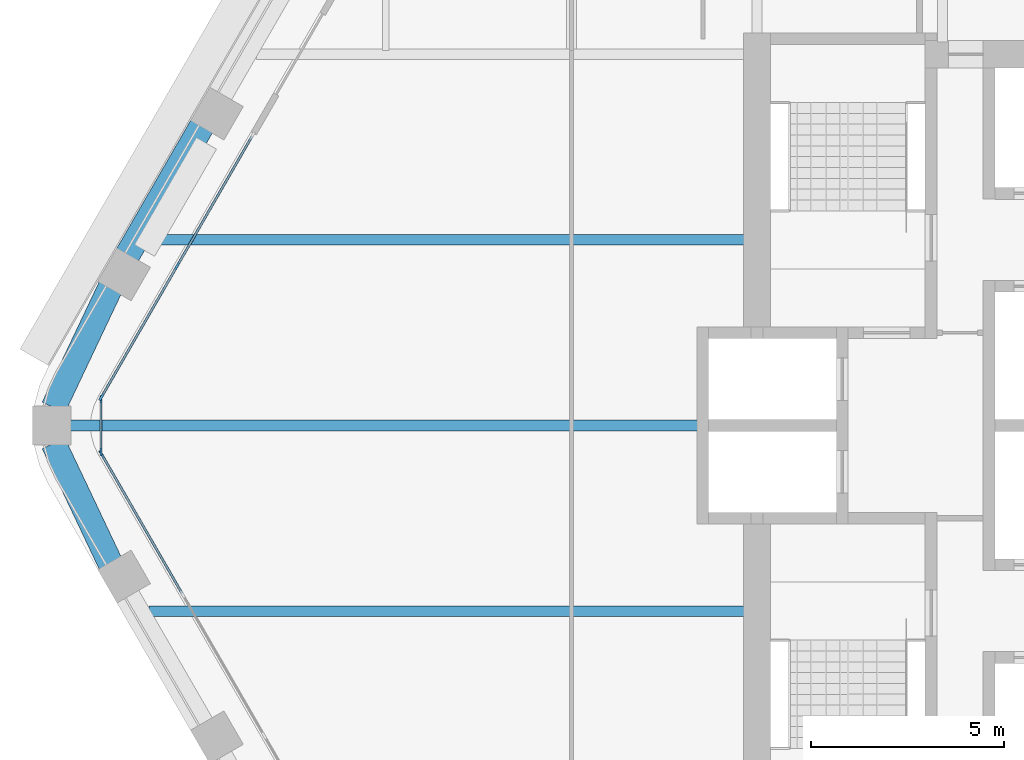
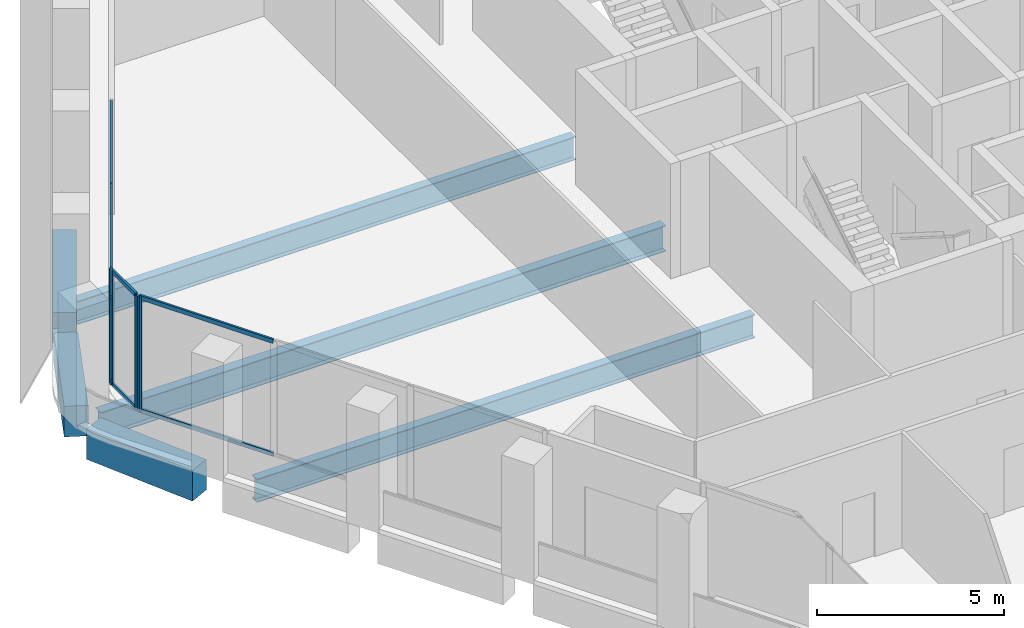
# One storey, part 3 of 15: 13 members, 6 beams, 3 elements without a shape of their own.
"""IFC4 building model written with IfcOpenShell, lengths in metres."""

from ifc_helpers import new_model, si_unit, direction, frame, origin, origin_2d, place, context, subcontext, project, spatial, rectangle, i_section, extrude, material, material_profile, profile_set, type_object, element, aggregate, save


model = new_model("IFC4")

# Units and contexts
model_context = context("Model", 3, precision=1e-05, world=origin(), true_north=direction((0.0, 1.0)))
body_context = subcontext(model_context, "Body", "Model", "MODEL_VIEW")
ifc_project = project(units=[si_unit("LENGTHUNIT", "METRE"), si_unit("AREAUNIT", "SQUARE_METRE"), si_unit("VOLUMEUNIT", "CUBIC_METRE"), si_unit("PLANEANGLEUNIT", "RADIAN"), si_unit("MASSUNIT", "GRAM", prefix="KILO")], contexts=[model_context])

# Site, building, storey
site_placement = place(None, origin())
site = spatial("IfcSite", under=ifc_project, at=site_placement, CompositionType="ELEMENT")
building_placement = place(site_placement, origin())
building = spatial("IfcBuilding", under=site, at=building_placement, Name="Kolab Exchange Tower", CompositionType="ELEMENT")
storey_placement = place(building_placement, frame((0.0, 0.0, 170.0)))
storey = spatial("IfcBuildingStorey", under=building, at=storey_placement, Name="L35", CompositionType="ELEMENT", Elevation=170.0)

# Beams
ifc_material_1 = material(Name="Steel S355", Category="steel")
ifc_material_profile_1 = material_profile(ifc_material_1, i_section(OverallWidth=0.26708984375, OverallDepth=0.761962890625, WebThickness=0.014404296875, FlangeThickness=0.021484375, at=origin_2d()), Name="W760X173")
ifc_profile_set_1 = profile_set([ifc_material_profile_1], Name="Steel S355")
beam_type_1 = type_object("IfcBeamType", Name="FLOOR BEAM W760X173", PredefinedType="BEAM", material=ifc_profile_set_1)
for number, where, z_axis, x_axis, name in (
    (1, (-25.318115234375, -4.800048828125, -0.531005859375), (1.0, 0.0, 0.0), (0.0, 1.0, 0.0), "beam/L35/fr/001"),
    (2, (-25.318115234375, 4.800048828125, -0.531005859375), (1.0, 0.0, 0.0), (0.0, 1.0, 0.0), "beam/L35/fr/002"),
):
    element("IfcBeam", number, at=place(storey_placement, frame(where, z_axis=z_axis, x_axis=x_axis)), inside=storey, type_object=beam_type_1, Name=name, PredefinedType="BEAM", context=body_context, shape_type="SweptSolid", body=[
        extrude(i_section(OverallWidth=0.26708984375, OverallDepth=0.761962890625, WebThickness=0.014404296875, FlangeThickness=0.021484375, at=origin_2d()), origin(), (0.0, 0.0, 1.0), 15.408203125),
    ])
ifc_material_profile_2 = material_profile(ifc_material_1, i_section(OverallWidth=0.2919921875, OverallDepth=0.840087890625, WebThickness=0.0146484375, FlangeThickness=0.021728515625, at=origin_2d()), Name="W840X193")
ifc_profile_set_2 = profile_set([ifc_material_profile_2], Name="Steel S355")
beam_type_2 = type_object("IfcBeamType", Name="FLOOR BEAM W840X193", PredefinedType="BEAM", material=ifc_profile_set_2)
beam_1_placement = place(storey_placement, frame((-27.3759765625, 0.0, -0.570068359375), z_axis=(1.0, 0.0, 0.0), x_axis=(0.0, 1.0, 0.0)))
element("IfcBeam", 3, at=beam_1_placement, inside=storey, type_object=beam_type_2, Name="beam/L35/fr/000", PredefinedType="BEAM", context=body_context, shape_type="SweptSolid", body=[
    extrude(i_section(OverallWidth=0.2919921875, OverallDepth=0.840087890625, WebThickness=0.0146484375, FlangeThickness=0.021728515625, at=origin_2d()), origin(), (0.0, 0.0, 1.0), 17.466064453125),
])
ifc_material_2 = material(Name="Concrete C60/75", Category="concrete")
ifc_material_profile_3 = material_profile(ifc_material_2, rectangle(XDim=0.64990234375, YDim=1.0, at=origin_2d()), Name="RC650X1000")
ifc_profile_set_3 = profile_set([ifc_material_profile_3], Name="Concrete C60/75")
beam_type_3 = type_object("IfcBeamType", Name="SPANDREL BEAM 650X1000 C60/75", PredefinedType="BEAM", material=ifc_profile_set_3)
for number, where, z_axis, x_axis, name in (
    (4, (-26.316162109375, -3.5771484375, -0.64990234375), (-0.428177731975, 0.903694544545, 0.0), (-0.903694544545, -0.428177731975, 0.0), "beam/L35/sp/F5-06"),
    (5, (-27.791259765625, 0.4638671875, -0.64990234375), (0.428177731975, 0.903694544545, 0.0), (-0.903694544545, 0.428177731975, 0.0), "beam/L35/sp/F6-01"),
):
    element("IfcBeam", number, at=place(storey_placement, frame(where, z_axis=z_axis, x_axis=x_axis)), inside=storey, type_object=beam_type_3, Name=name, PredefinedType="BEAM", context=body_context, shape_type="SweptSolid", body=[
        extrude(rectangle(XDim=0.64990234375, YDim=1.0, at=origin_2d()), origin(), (0.0, 0.0, 1.0), 3.445068359375),
    ])
beam_2_placement = place(storey_placement, frame((-25.888427734375, 4.392822265625, -0.64990234375), z_axis=(0.499996613652, 0.866027358884, 0.0), x_axis=(-0.866027358884, 0.499996613652, 0.0)))
element("IfcBeam", 6, at=beam_2_placement, inside=storey, type_object=beam_type_3, Name="beam/L35/sp/F6-02", PredefinedType="BEAM", context=body_context, shape_type="SweptSolid", body=[
    extrude(rectangle(XDim=0.64990234375, YDim=1.0, at=origin_2d()), origin(), (0.0, 0.0, 1.0), 3.8798828125),
])

# Curtain wall, member
ifc_material_3 = material(Name="Aluminium EN AW-6063 T6", Category="aluminium")
curtain_wall_type = type_object("IfcCurtainWallType", Name="UNITISED UPPER MID ZONE CURTAIN WALL", PredefinedType="NOTDEFINED", material=ifc_material_3)
curtain_wall_1_placement = place(storey_placement, origin())
curtain_wall_1 = element("IfcCurtainWall", 7, at=curtain_wall_1_placement, inside=storey, type_object=curtain_wall_type, Name="cw/L35/F5-2", PredefinedType="NOTDEFINED")
ifc_material_profile_4 = material_profile(ifc_material_3, rectangle(XDim=0.06005859375, YDim=0.199951171875, at=origin_2d()), Name="RECT 60X200")
ifc_profile_set_4 = profile_set([ifc_material_profile_4], Name="Aluminium EN AW-6063 T6")
member_type_1 = type_object("IfcMemberType", Name="UNITISED UPPER MID ZONE MULLION 60 X 200", PredefinedType="MULLION", material=ifc_profile_set_4)
member_1_placement = place(storey_placement, frame((-26.550537109375, -0.736083984375, 0.0), z_axis=(0.0, 0.0, 1.0), x_axis=(-0.866025427826, -0.499999958358, 0.0)))
member_1 = element("IfcMember", 8, at=member_1_placement, type_object=member_type_1, Name="CW3 mullion 4", PredefinedType="MULLION", context=body_context, shape_type="SweptSolid", body=[
    extrude(rectangle(XDim=0.06005859375, YDim=0.199951171875, at=origin_2d()), origin(), (0.0, 0.0, 1.0), 3.75),
])

# Curtain wall, members
curtain_wall_2_placement = place(storey_placement, origin())
curtain_wall_2 = element("IfcCurtainWall", 9, at=curtain_wall_2_placement, inside=storey, type_object=curtain_wall_type, Name="cw/L35/F6-1", PredefinedType="NOTDEFINED")
member_2_placement = place(storey_placement, frame((-26.550537109375, 0.736083984375, 0.0), z_axis=(0.0, 0.0, 1.0), x_axis=(-0.866025440524, 0.499999936366, 0.0)))
member_2 = element("IfcMember", 10, at=member_2_placement, type_object=member_type_1, Name="CW3 mullion 1", PredefinedType="MULLION", context=body_context, shape_type="SweptSolid", body=[
    extrude(rectangle(XDim=0.06005859375, YDim=0.199951171875, at=origin_2d()), origin(), (0.0, 0.0, 1.0), 3.75),
])
member_3_placement = place(storey_placement, frame((-24.5986328125, 4.116943359375, 0.0), z_axis=(0.0, 0.0, 1.0), x_axis=(-0.866025440524, 0.499999936366, 0.0)))
member_3 = element("IfcMember", 11, at=member_3_placement, type_object=member_type_1, Name="CW3 mullion 2", PredefinedType="MULLION", context=body_context, shape_type="SweptSolid", body=[
    extrude(rectangle(XDim=0.06005859375, YDim=0.199951171875, at=origin_2d()), origin(), (0.0, 0.0, 1.0), 3.75),
])

curtain_wall_3_placement = place(storey_placement, origin())
curtain_wall_3 = element("IfcCurtainWall", 12, at=curtain_wall_3_placement, inside=storey, type_object=curtain_wall_type, Name="cw/L35/F5F6-corner", PredefinedType="NOTDEFINED")
member_4_placement = place(storey_placement, frame((-26.565673828125, -0.679931640625, 0.0), z_axis=(0.0, 0.0, 1.0), x_axis=(-1.0, 0.0, 0.0)))
member_4 = element("IfcMember", 13, at=member_4_placement, type_object=member_type_1, Name="CW3 mullion 1", PredefinedType="MULLION", context=body_context, shape_type="SweptSolid", body=[
    extrude(rectangle(XDim=0.06005859375, YDim=0.199951171875, at=origin_2d()), origin(), (0.0, 0.0, 1.0), 3.75),
])
member_5_placement = place(storey_placement, frame((-26.565673828125, 0.679931640625, 0.0), z_axis=(0.0, 0.0, 1.0), x_axis=(-1.0, 0.0, 0.0)))
member_5 = element("IfcMember", 14, at=member_5_placement, type_object=member_type_1, Name="CW3 mullion 2", PredefinedType="MULLION", context=body_context, shape_type="SweptSolid", body=[
    extrude(rectangle(XDim=0.06005859375, YDim=0.199951171875, at=origin_2d()), origin(), (0.0, 0.0, 1.0), 3.75),
])

# Member
ifc_material_profile_5 = material_profile(ifc_material_3, rectangle(XDim=0.06005859375, YDim=0.139892578125, at=origin_2d()), Name="RECT 60X140")
ifc_profile_set_5 = profile_set([ifc_material_profile_5], Name="Aluminium EN AW-6063 T6")
member_type_2 = type_object("IfcMemberType", Name="UNITISED UPPER MID ZONE TRANSOM 60 X 140", PredefinedType="USERDEFINED", material=ifc_profile_set_5)
member_6_placement = place(storey_placement, frame((-24.46923828125, -4.3408203125, 0.030029296875), z_axis=(-0.500027577057, 0.866009481578, 0.0), x_axis=(-0.866009481578, -0.500027577057, 0.0)))
member_6 = element("IfcMember", 15, at=member_6_placement, type_object=member_type_2, Name="CW3 transom 3.1", ObjectType="TRANSOM", PredefinedType="USERDEFINED", context=body_context, shape_type="SweptSolid", body=[
    extrude(rectangle(XDim=0.06005859375, YDim=0.139892578125, at=origin_2d()), origin(), (0.0, 0.0, 1.0), 4.132568359375),
])

member_7_placement = place(storey_placement, frame((-24.46923828125, -4.3408203125, 3.719970703125), z_axis=(-0.500027577057, 0.866009481578, 0.0), x_axis=(-0.866009481578, -0.500027577057, 0.0)))
member_7 = element("IfcMember", 16, at=member_7_placement, type_object=member_type_2, Name="CW3 transom 3.2", ObjectType="TRANSOM", PredefinedType="USERDEFINED", context=body_context, shape_type="SweptSolid", body=[
    extrude(rectangle(XDim=0.06005859375, YDim=0.139892578125, at=origin_2d()), origin(), (0.0, 0.0, 1.0), 4.132568359375),
])

aggregate(curtain_wall_1, [member_1, member_6, member_7])

member_8_placement = place(storey_placement, frame((-26.53564453125, 0.761962890625, 0.030029296875), z_axis=(0.499991857942, 0.866030104553, 0.0), x_axis=(-0.866030104553, 0.499991857942, 0.0)))
member_8 = element("IfcMember", 17, at=member_8_placement, type_object=member_type_2, Name="CW3 transom 1.1", ObjectType="TRANSOM", PredefinedType="USERDEFINED", context=body_context, shape_type="SweptSolid", body=[
    extrude(rectangle(XDim=0.06005859375, YDim=0.139892578125, at=origin_2d()), origin(), (0.0, 0.0, 1.0), 3.84375),
])

member_9_placement = place(storey_placement, frame((-26.53564453125, 0.761962890625, 3.719970703125), z_axis=(0.499991857942, 0.866030104553, 0.0), x_axis=(-0.866030104553, 0.499991857942, 0.0)))
member_9 = element("IfcMember", 18, at=member_9_placement, type_object=member_type_2, Name="CW3 transom 1.2", ObjectType="TRANSOM", PredefinedType="USERDEFINED", context=body_context, shape_type="SweptSolid", body=[
    extrude(rectangle(XDim=0.06005859375, YDim=0.139892578125, at=origin_2d()), origin(), (0.0, 0.0, 1.0), 3.84375),
])

member_10_placement = place(storey_placement, frame((-24.583740234375, 4.142822265625, 0.030029296875), z_axis=(0.500011990396, 0.866018481016, 0.0), x_axis=(-0.866018481016, 0.500011990396, 0.0)))
member_10 = element("IfcMember", 19, at=member_10_placement, type_object=member_type_2, Name="CW3 transom 2.1", ObjectType="TRANSOM", PredefinedType="USERDEFINED", context=body_context, shape_type="SweptSolid", body=[
    extrude(rectangle(XDim=0.06005859375, YDim=0.139892578125, at=origin_2d()), origin(), (0.0, 0.0, 1.0), 3.84423828125),
])

member_11_placement = place(storey_placement, frame((-24.583740234375, 4.142822265625, 3.719970703125), z_axis=(0.500011990396, 0.866018481016, 0.0), x_axis=(-0.866018481016, 0.500011990396, 0.0)))
member_11 = element("IfcMember", 20, at=member_11_placement, type_object=member_type_2, Name="CW3 transom 2.2", ObjectType="TRANSOM", PredefinedType="USERDEFINED", context=body_context, shape_type="SweptSolid", body=[
    extrude(rectangle(XDim=0.06005859375, YDim=0.139892578125, at=origin_2d()), origin(), (0.0, 0.0, 1.0), 3.84423828125),
])

aggregate(curtain_wall_2, [member_2, member_3, member_8, member_9, member_10, member_11])

member_12_placement = place(storey_placement, frame((-26.565673828125, -0.64990234375, 0.030029296875), z_axis=(0.0, 1.0, 0.0), x_axis=(-1.0, 0.0, 0.0)))
member_12 = element("IfcMember", 21, at=member_12_placement, type_object=member_type_2, Name="CW3 transom 1.1", ObjectType="TRANSOM", PredefinedType="USERDEFINED", context=body_context, shape_type="SweptSolid", body=[
    extrude(rectangle(XDim=0.06005859375, YDim=0.139892578125, at=origin_2d()), origin(), (0.0, 0.0, 1.0), 1.2998046875),
])

member_13_placement = place(storey_placement, frame((-26.565673828125, -0.64990234375, 3.719970703125), z_axis=(0.0, 1.0, 0.0), x_axis=(-1.0, 0.0, 0.0)))
member_13 = element("IfcMember", 22, at=member_13_placement, type_object=member_type_2, Name="CW3 transom 1.2", ObjectType="TRANSOM", PredefinedType="USERDEFINED", context=body_context, shape_type="SweptSolid", body=[
    extrude(rectangle(XDim=0.06005859375, YDim=0.139892578125, at=origin_2d()), origin(), (0.0, 0.0, 1.0), 1.2998046875),
])

aggregate(curtain_wall_3, [member_4, member_5, member_12, member_13])

save(model, "model.ifc")
